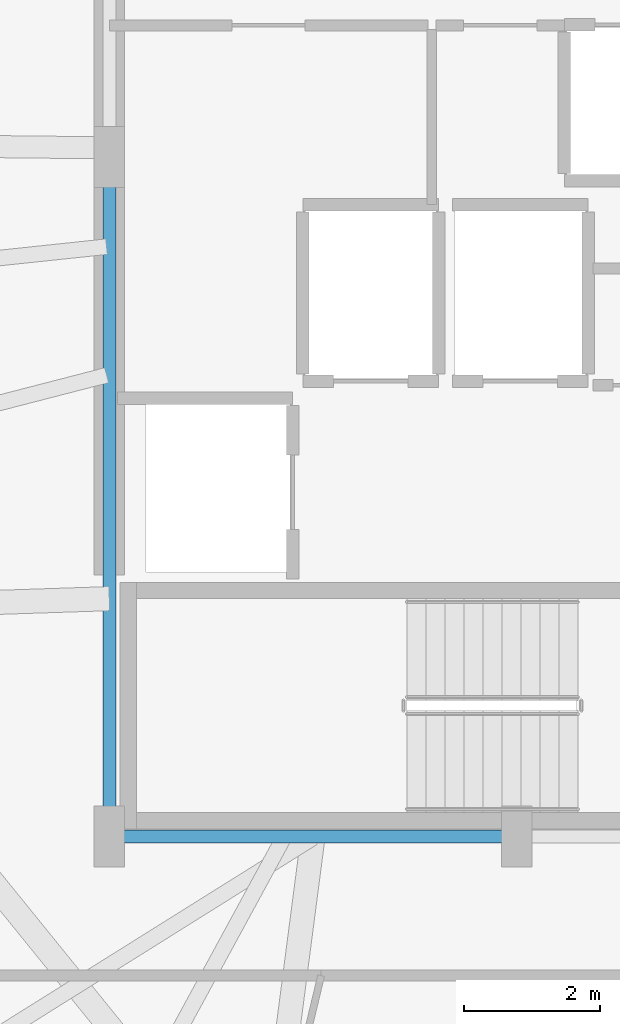
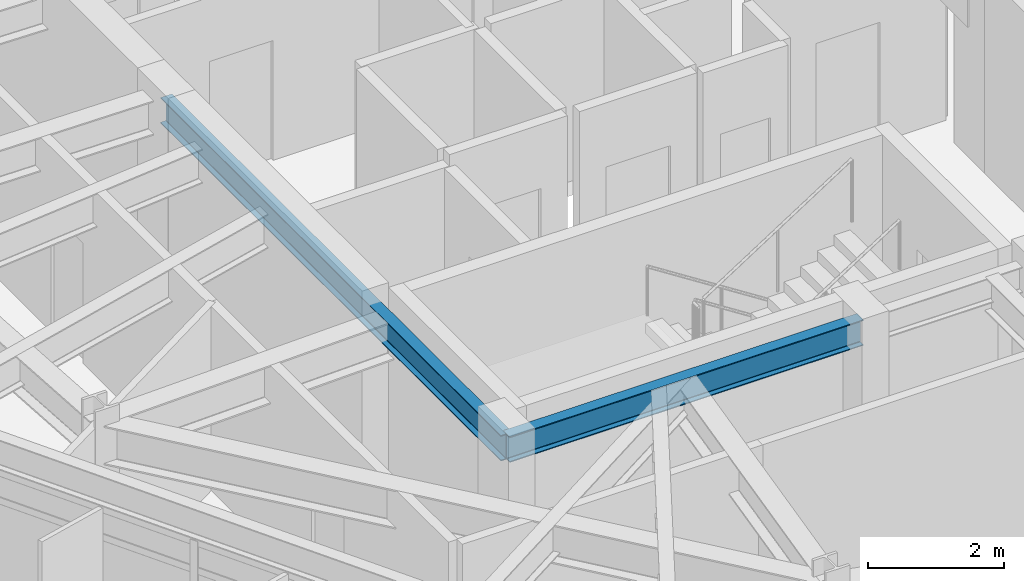
# One storey, part 4 of 27: 2 beams.
"""IFC4 building model written with IfcOpenShell, lengths in metres."""

from ifc_helpers import new_model, si_unit, direction, frame, origin, origin_2d, place, context, subcontext, project, spatial, i_section, extrude, material, material_profile, profile_set, type_object, element, save


model = new_model("IFC4")

# Units and contexts
model_context = context("Model", 3, precision=1e-05, world=origin(), true_north=direction((0.0, 1.0)))
body_context = subcontext(model_context, "Body", "Model", "MODEL_VIEW")
ifc_project = project(units=[si_unit("LENGTHUNIT", "METRE"), si_unit("AREAUNIT", "SQUARE_METRE"), si_unit("VOLUMEUNIT", "CUBIC_METRE"), si_unit("PLANEANGLEUNIT", "RADIAN"), si_unit("MASSUNIT", "GRAM", prefix="KILO")], contexts=[model_context])

# Site, building, storey
site_placement = place(None, origin())
site = spatial("IfcSite", under=ifc_project, at=site_placement, CompositionType="ELEMENT")
building_placement = place(site_placement, origin())
building = spatial("IfcBuilding", under=site, at=building_placement, Name="Soratama Intermodal Tower", CompositionType="ELEMENT")
storey_placement = place(building_placement, frame((0.0, 0.0, 208.60009765625)))
storey = spatial("IfcBuildingStorey", under=building, at=storey_placement, Name="L52", CompositionType="ELEMENT", Elevation=208.60009765625)

# Beams
ifc_material = material(Name="Structural steel ASTM A992 Grade 50", Category="steel")
ifc_material_profile = material_profile(ifc_material, i_section(OverallWidth=0.19091796875, OverallDepth=0.4599609375, WebThickness=0.010009765625, FlangeThickness=0.01611328125, FilletRadius=0.010986328125, at=origin_2d()), Name="W18X55")
ifc_profile_set = profile_set([ifc_material_profile], Name="Structural steel ASTM A992 Grade 50")
beam_type = type_object("IfcBeamType", Name="BM-FLR-W18X55", PredefinedType="BEAM", material=ifc_profile_set)
beam_1_placement = place(storey_placement, frame((32.60009765625, 15.0, 3.06982421875), z_axis=(1.0, 0.0, 0.0), x_axis=(0.0, 1.0, 0.0)))
element("IfcBeam", 1, at=beam_1_placement, inside=storey, type_object=beam_type, Name="BM-L52-CRING-01", PredefinedType="BEAM", context=body_context, shape_type="SweptSolid", body=[
    extrude(i_section(OverallWidth=0.19091796875, OverallDepth=0.4599609375, WebThickness=0.010009765625, FlangeThickness=0.01611328125, FilletRadius=0.010986328125, at=origin_2d()), origin(), (0.0, 0.0, 1.0), 6.0),
])
beam_2_placement = place(storey_placement, frame((32.60009765625, 25.0, 3.06982421875), z_axis=(0.0, -1.0, 0.0), x_axis=(1.0, 0.0, 0.0)))
element("IfcBeam", 2, at=beam_2_placement, inside=storey, type_object=beam_type, Name="BM-L52-CRING-09", PredefinedType="BEAM", context=body_context, shape_type="SweptSolid", body=[
    extrude(i_section(OverallWidth=0.19091796875, OverallDepth=0.4599609375, WebThickness=0.010009765625, FlangeThickness=0.01611328125, FilletRadius=0.010986328125, at=origin_2d()), origin(), (0.0, 0.0, 1.0), 10.0),
])

save(model, "model.ifc")
